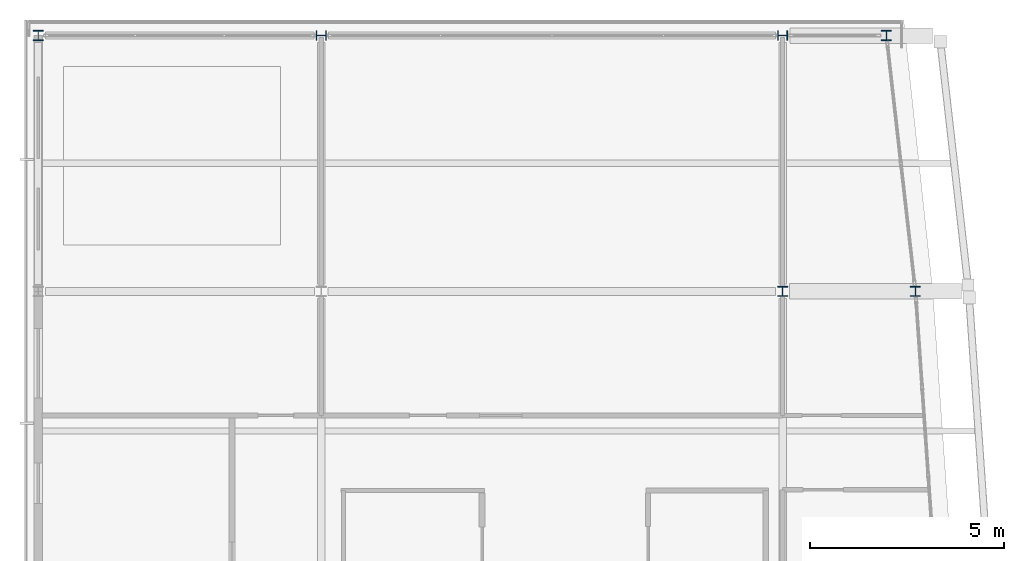
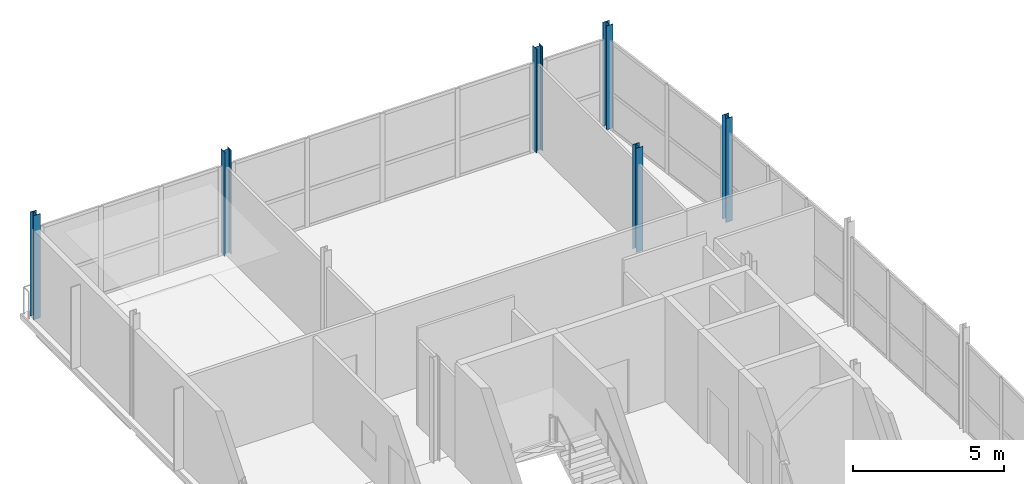
# One storey, part 2 of 17: 6 columns.
"""IFC4 building model written with IfcOpenShell, lengths in metres."""

from ifc_helpers import new_model, si_unit, direction, frame, origin, origin_2d, place, context, subcontext, project, spatial, i_section, extrude, material, material_profile, profile_set, type_object, element, save


model = new_model("IFC4")

# Units and contexts
model_context = context("Model", 3, precision=1e-05, world=origin(), true_north=direction((0.0, 1.0)))
body_context = subcontext(model_context, "Body", "Model", "MODEL_VIEW")
ifc_project = project(units=[si_unit("LENGTHUNIT", "METRE"), si_unit("AREAUNIT", "SQUARE_METRE"), si_unit("VOLUMEUNIT", "CUBIC_METRE"), si_unit("PLANEANGLEUNIT", "RADIAN"), si_unit("MASSUNIT", "GRAM", prefix="KILO")], contexts=[model_context])

# Site, building, storey
site_placement = place(None, origin())
site = spatial("IfcSite", under=ifc_project, at=site_placement, CompositionType="ELEMENT")
building_placement = place(site_placement, origin())
building = spatial("IfcBuilding", under=site, at=building_placement, Name="Quillay Park Conservatory", CompositionType="ELEMENT")
storey_placement = place(building_placement, frame((0.0, 0.0, 60.300048828125)))
storey = spatial("IfcBuildingStorey", under=building, at=storey_placement, Name="L14", CompositionType="ELEMENT", Elevation=60.300048828125)

# Columns
ifc_material = material(Name="Steel ASTM A992 Grade 50", Category="steel")
ifc_material_profile = material_profile(ifc_material, i_section(OverallWidth=0.256103515625, OverallDepth=0.260009765625, WebThickness=0.0107421875, FlangeThickness=0.017333984375, FilletRadius=0.012939453125, at=origin_2d()), Name="W250x89")
ifc_profile_set = profile_set([ifc_material_profile], Name="Steel ASTM A992 Grade 50")
column_type = type_object("IfcColumnType", Name="COMPOSITE STEEL COLUMN W250 X89", PredefinedType="COLUMN", material=ifc_profile_set)
for number, where, z_axis, x_axis, name in (
    (1, (19.75, 106.800048828125, 0.0), (0.0, 0.0, 1.0), (1.0, 0.0, 0.0), "L14 column COL-V4-L14-4-2"),
    (2, (23.175048828125, 106.800048828125, 0.0), (0.0, 0.0, 1.0), (1.0, 0.0, 0.0), "L14 column COL-V4-L14-4-3"),
    (3, (0.550048828125, 113.39990234375, 0.0), (0.0, 0.0, 1.0), (1.0, 0.0, 0.0), "L14 column COL-V4-L14-5-0"),
    (4, (7.85009765625, 113.39990234375, 0.0), (0.0, 0.0, 1.0), (0.0, 1.0, 0.0), "L14 column COL-V4-L14-5-1"),
    (5, (19.75, 113.39990234375, 0.0), (0.0, 0.0, 1.0), (0.0, 1.0, 0.0), "L14 column COL-V4-L14-5-2"),
    (6, (22.425048828125, 113.39990234375, 0.0), (0.0, 0.0, 1.0), (1.0, 0.0, 0.0), "L14 column COL-V4-L14-5-3"),
):
    element("IfcColumn", number, at=place(storey_placement, frame(where, z_axis=z_axis, x_axis=x_axis)), inside=storey, type_object=column_type, Name=name, PredefinedType="COLUMN", context=body_context, shape_type="SweptSolid", body=[
        extrude(i_section(OverallWidth=0.256103515625, OverallDepth=0.260009765625, WebThickness=0.0107421875, FlangeThickness=0.017333984375, FilletRadius=0.012939453125, at=origin_2d()), origin(), (0.0, 0.0, 1.0), 4.199951171875),
    ])

save(model, "model.ifc")
